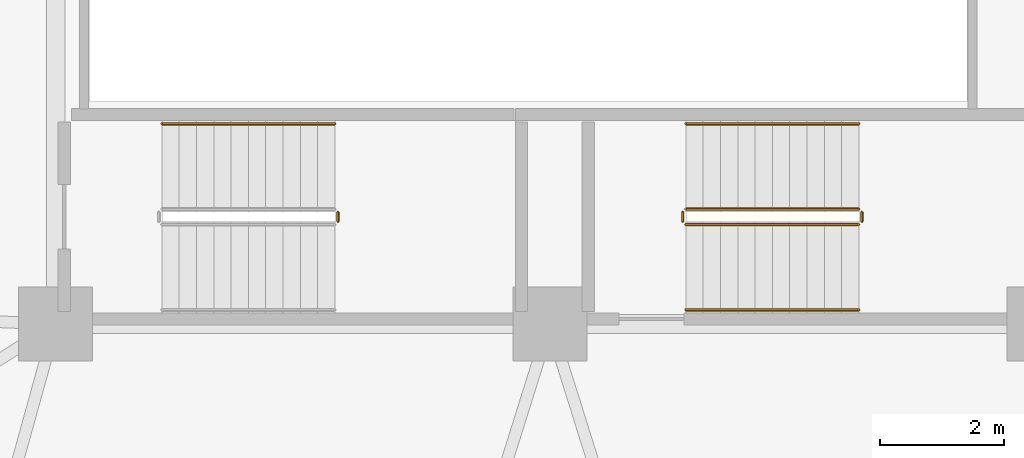
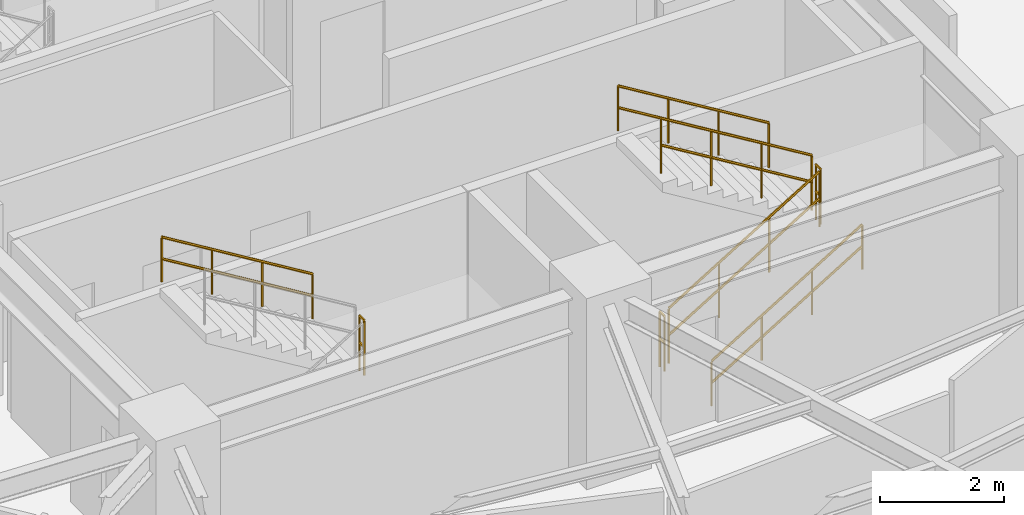
# One storey, part 28 of 30: 8 railings.
"""IFC4 building model written with IfcOpenShell, lengths in metres."""

from ifc_helpers import new_model, si_unit, direction, frame, origin, place, context, subcontext, project, spatial, polyline, outline, extrude, material, type_object, element, save


model = new_model("IFC4")

# Units and contexts
model_context = context("Model", 3, precision=1e-05, world=origin(), true_north=direction((0.0, 1.0)))
body_context = subcontext(model_context, "Body", "Model", "MODEL_VIEW")
ifc_project = project(units=[si_unit("LENGTHUNIT", "METRE"), si_unit("AREAUNIT", "SQUARE_METRE"), si_unit("VOLUMEUNIT", "CUBIC_METRE"), si_unit("PLANEANGLEUNIT", "RADIAN"), si_unit("MASSUNIT", "GRAM", prefix="KILO")], contexts=[model_context])

# Site, building, storey
site_placement = place(None, origin())
site = spatial("IfcSite", under=ifc_project, at=site_placement, CompositionType="ELEMENT")
building_placement = place(site_placement, origin())
building = spatial("IfcBuilding", under=site, at=building_placement, Name="Kelanora Arch Commons", CompositionType="ELEMENT")
storey_placement = place(building_placement, frame((0.0, 0.0, 208.199951171875)))
storey = spatial("IfcBuildingStorey", under=building, at=storey_placement, Name="L53", CompositionType="ELEMENT", Elevation=208.199951171875)

# Railings
ifc_material_1 = material(Name="Painted steel stair well guard", Category="steel")
railing_type_1 = type_object("IfcRailingType", Name="RAIL-STAIR-GRD", PredefinedType="GUARDRAIL", material=ifc_material_1)
railing_1_placement = place(storey_placement, frame((76.199951171875, 52.610107421875, 0.17041015625)))
element("IfcRailing", 1, at=railing_1_placement, inside=storey, type_object=railing_type_1, Name="L53 ST-T2 stair guard 1", PredefinedType="GUARDRAIL", context=body_context, shape_type="SweptSolid", body=[
    extrude(outline(polyline([(0.02392578125, 0.0), (0.011962890625, 0.020751953125), (-0.011962890625, 0.020751953125), (-0.02392578125, 0.0), (-0.011962890625, -0.020751953125), (0.011962890625, -0.020751953125), (0.02392578125, 0.0)])), frame((0.0, 0.0, 1.076171875), z_axis=(0.854169791009, 0.0, 0.51999420009), x_axis=(0.0, 1.0, 0.0)), (0.0, 0.0, 1.0), 3.278076171875),
    extrude(outline(polyline([(0.02392578125, 0.0), (0.011962890625, 0.020751953125), (-0.011962890625, 0.020751953125), (-0.02392578125, 0.0), (-0.011962890625, -0.020751953125), (0.011962890625, -0.020751953125), (0.02392578125, 0.0)])), frame((0.0, 0.0, 0.550048828125), z_axis=(0.854169791009, 0.0, 0.51999420009), x_axis=(0.0, 1.0, 0.0)), (0.0, 0.0, 1.0), 3.278076171875),
    extrude(outline(polyline([(0.02099609375, 0.0), (0.010498046875, 0.01806640625), (-0.010498046875, 0.01806640625), (-0.02099609375, 0.0), (-0.010498046875, -0.01806640625), (0.010498046875, -0.01806640625), (0.02099609375, 0.0)])), origin(), (0.0, 0.0, 1.0), 1.052001953125),
    extrude(outline(polyline([(0.02099609375, 0.0), (0.010498046875, 0.01806640625), (-0.010498046875, 0.01806640625), (-0.02099609375, 0.0), (-0.010498046875, -0.01806640625), (0.010498046875, -0.01806640625), (0.02099609375, 0.0)])), frame((0.933349609375, 0.0, 0.568115234375)), (0.0, 0.0, 1.0), 1.052001953125),
    extrude(outline(polyline([(0.02099609375, 0.0), (0.010498046875, 0.01806640625), (-0.010498046875, 0.01806640625), (-0.02099609375, 0.0), (-0.010498046875, -0.01806640625), (0.010498046875, -0.01806640625), (0.02099609375, 0.0)])), frame((1.86669921875, 0.0, 1.136474609375)), (0.0, 0.0, 1.0), 1.052001953125),
    extrude(outline(polyline([(0.02099609375, 0.0), (0.010498046875, 0.01806640625), (-0.010498046875, 0.01806640625), (-0.02099609375, 0.0), (-0.010498046875, -0.01806640625), (0.010498046875, -0.01806640625), (0.02099609375, 0.0)])), frame((2.800048828125, 0.0, 1.70458984375)), (0.0, 0.0, 1.0), 1.052001953125),
])
railing_2_placement = place(storey_placement, frame((79.050048828125, 52.659912109375, 1.875)))
element("IfcRailing", 2, at=railing_2_placement, inside=storey, type_object=railing_type_1, Name="L53 ST-T2 stair guard 2", PredefinedType="GUARDRAIL", context=body_context, shape_type="SweptSolid", body=[
    extrude(outline(polyline([(0.02392578125, 0.0), (0.011962890625, 0.020751953125), (-0.011962890625, 0.020751953125), (-0.02392578125, 0.0), (-0.011962890625, -0.020751953125), (0.011962890625, -0.020751953125), (0.02392578125, 0.0)])), frame((0.0, 0.0, 1.076171875), z_axis=(0.0, 1.0, 0.0), x_axis=(-1.0, 0.0, 0.0)), (0.0, 0.0, 1.0), 0.150146484375),
    extrude(outline(polyline([(0.02392578125, 0.0), (0.011962890625, 0.020751953125), (-0.011962890625, 0.020751953125), (-0.02392578125, 0.0), (-0.011962890625, -0.020751953125), (0.011962890625, -0.020751953125), (0.02392578125, 0.0)])), frame((0.0, 0.0, 0.550048828125), z_axis=(0.0, 1.0, 0.0), x_axis=(-1.0, 0.0, 0.0)), (0.0, 0.0, 1.0), 0.150146484375),
    extrude(outline(polyline([(0.02099609375, 0.0), (0.010498046875, 0.01806640625), (-0.010498046875, 0.01806640625), (-0.02099609375, 0.0), (-0.010498046875, -0.01806640625), (0.010498046875, -0.01806640625), (0.02099609375, 0.0)])), origin(), (0.0, 0.0, 1.0), 1.052001953125),
    extrude(outline(polyline([(0.02099609375, 0.0), (0.010498046875, 0.01806640625), (-0.010498046875, 0.01806640625), (-0.02099609375, 0.0), (-0.010498046875, -0.01806640625), (0.010498046875, -0.01806640625), (0.02099609375, 0.0)])), frame((0.0, 0.150146484375, 0.0)), (0.0, 0.0, 1.0), 1.052001953125),
])
railing_3_placement = place(storey_placement, frame((79.0, 52.860107421875, 2.04541015625)))
element("IfcRailing", 3, at=railing_3_placement, inside=storey, type_object=railing_type_1, Name="L53 ST-T2 stair guard 3", PredefinedType="GUARDRAIL", context=body_context, shape_type="SweptSolid", body=[
    extrude(outline(polyline([(0.02392578125, 0.0), (0.011962890625, 0.020751953125), (-0.011962890625, 0.020751953125), (-0.02392578125, 0.0), (-0.011962890625, -0.020751953125), (0.011962890625, -0.020751953125), (0.02392578125, 0.0)])), frame((0.0, 0.0, 1.076171875), z_axis=(-0.854169791009, 0.0, 0.51999420009), x_axis=(0.0, -1.0, 0.0)), (0.0, 0.0, 1.0), 3.278076171875),
    extrude(outline(polyline([(0.02392578125, 0.0), (0.011962890625, 0.020751953125), (-0.011962890625, 0.020751953125), (-0.02392578125, 0.0), (-0.011962890625, -0.020751953125), (0.011962890625, -0.020751953125), (0.02392578125, 0.0)])), frame((0.0, 0.0, 0.550048828125), z_axis=(-0.854169791009, 0.0, 0.51999420009), x_axis=(0.0, -1.0, 0.0)), (0.0, 0.0, 1.0), 3.278076171875),
    extrude(outline(polyline([(0.02099609375, 0.0), (0.010498046875, 0.01806640625), (-0.010498046875, 0.01806640625), (-0.02099609375, 0.0), (-0.010498046875, -0.01806640625), (0.010498046875, -0.01806640625), (0.02099609375, 0.0)])), origin(), (0.0, 0.0, 1.0), 1.052001953125),
    extrude(outline(polyline([(0.02099609375, 0.0), (0.010498046875, 0.01806640625), (-0.010498046875, 0.01806640625), (-0.02099609375, 0.0), (-0.010498046875, -0.01806640625), (0.010498046875, -0.01806640625), (0.02099609375, 0.0)])), frame((-0.933349609375, 0.0, 0.568115234375)), (0.0, 0.0, 1.0), 1.052001953125),
    extrude(outline(polyline([(0.02099609375, 0.0), (0.010498046875, 0.01806640625), (-0.010498046875, 0.01806640625), (-0.02099609375, 0.0), (-0.010498046875, -0.01806640625), (0.010498046875, -0.01806640625), (0.02099609375, 0.0)])), frame((-1.86669921875, 0.0, 1.136474609375)), (0.0, 0.0, 1.0), 1.052001953125),
    extrude(outline(polyline([(0.02099609375, 0.0), (0.010498046875, 0.01806640625), (-0.010498046875, 0.01806640625), (-0.02099609375, 0.0), (-0.010498046875, -0.01806640625), (0.010498046875, -0.01806640625), (0.02099609375, 0.0)])), frame((-2.800048828125, 0.0, 1.70458984375)), (0.0, 0.0, 1.0), 1.052001953125),
])
for number, where, name in (
    (4, (76.14990234375, 52.659912109375, 0.0), "L53 ST-T2 stair guard 4"),
    (5, (70.570068359375, 52.659912109375, 1.875), "L53 ST-T3 stair guard 2"),
):
    element("IfcRailing", number, at=place(storey_placement, frame(where)), inside=storey, type_object=railing_type_1, Name=name, PredefinedType="GUARDRAIL", context=body_context, shape_type="SweptSolid", body=[
        extrude(outline(polyline([(0.02392578125, 0.0), (0.011962890625, 0.020751953125), (-0.011962890625, 0.020751953125), (-0.02392578125, 0.0), (-0.011962890625, -0.020751953125), (0.011962890625, -0.020751953125), (0.02392578125, 0.0)])), frame((0.0, 0.0, 1.076171875), z_axis=(0.0, 1.0, 0.0), x_axis=(-1.0, 0.0, 0.0)), (0.0, 0.0, 1.0), 0.150146484375),
        extrude(outline(polyline([(0.02392578125, 0.0), (0.011962890625, 0.020751953125), (-0.011962890625, 0.020751953125), (-0.02392578125, 0.0), (-0.011962890625, -0.020751953125), (0.011962890625, -0.020751953125), (0.02392578125, 0.0)])), frame((0.0, 0.0, 0.550048828125), z_axis=(0.0, 1.0, 0.0), x_axis=(-1.0, 0.0, 0.0)), (0.0, 0.0, 1.0), 0.150146484375),
        extrude(outline(polyline([(0.02099609375, 0.0), (0.010498046875, 0.01806640625), (-0.010498046875, 0.01806640625), (-0.02099609375, 0.0), (-0.010498046875, -0.01806640625), (0.010498046875, -0.01806640625), (0.02099609375, 0.0)])), origin(), (0.0, 0.0, 1.0), 1.052001953125),
        extrude(outline(polyline([(0.02099609375, 0.0), (0.010498046875, 0.01806640625), (-0.010498046875, 0.01806640625), (-0.02099609375, 0.0), (-0.010498046875, -0.01806640625), (0.010498046875, -0.01806640625), (0.02099609375, 0.0)])), frame((0.0, 0.150146484375, 0.0)), (0.0, 0.0, 1.0), 1.052001953125),
    ])
ifc_material_2 = material(Name="Brushed stainless steel stair handrail", Category="steel")
railing_type_2 = type_object("IfcRailingType", Name="RAIL-STAIR-HND", PredefinedType="HANDRAIL", material=ifc_material_2)
railing_4_placement = place(storey_placement, frame((76.199951171875, 51.22998046875, 0.17041015625)))
element("IfcRailing", 6, at=railing_4_placement, inside=storey, type_object=railing_type_2, Name="L53 ST-T2 stair handrail 1", PredefinedType="HANDRAIL", context=body_context, shape_type="SweptSolid", body=[
    extrude(outline(polyline([(0.02392578125, 0.0), (0.011962890625, 0.020751953125), (-0.011962890625, 0.020751953125), (-0.02392578125, 0.0), (-0.011962890625, -0.020751953125), (0.011962890625, -0.020751953125), (0.02392578125, 0.0)])), frame((0.0, 0.0, 0.8759765625), z_axis=(0.854169791009, 0.0, 0.51999420009), x_axis=(0.0, 1.0, 0.0)), (0.0, 0.0, 1.0), 3.278076171875),
    extrude(outline(polyline([(0.02392578125, 0.0), (0.011962890625, 0.020751953125), (-0.011962890625, 0.020751953125), (-0.02392578125, 0.0), (-0.011962890625, -0.020751953125), (0.011962890625, -0.020751953125), (0.02392578125, 0.0)])), frame((0.0, 0.0, 0.449951171875), z_axis=(0.854169791009, 0.0, 0.51999420009), x_axis=(0.0, 1.0, 0.0)), (0.0, 0.0, 1.0), 3.278076171875),
    extrude(outline(polyline([(0.02099609375, 0.0), (0.010498046875, 0.01806640625), (-0.010498046875, 0.01806640625), (-0.02099609375, 0.0), (-0.010498046875, -0.01806640625), (0.010498046875, -0.01806640625), (0.02099609375, 0.0)])), origin(), (0.0, 0.0, 1.0), 0.851806640625),
    extrude(outline(polyline([(0.02099609375, 0.0), (0.010498046875, 0.01806640625), (-0.010498046875, 0.01806640625), (-0.02099609375, 0.0), (-0.010498046875, -0.01806640625), (0.010498046875, -0.01806640625), (0.02099609375, 0.0)])), frame((0.933349609375, 0.0, 0.568115234375)), (0.0, 0.0, 1.0), 0.851806640625),
    extrude(outline(polyline([(0.02099609375, 0.0), (0.010498046875, 0.01806640625), (-0.010498046875, 0.01806640625), (-0.02099609375, 0.0), (-0.010498046875, -0.01806640625), (0.010498046875, -0.01806640625), (0.02099609375, 0.0)])), frame((1.86669921875, 0.0, 1.136474609375)), (0.0, 0.0, 1.0), 0.851806640625),
    extrude(outline(polyline([(0.02099609375, 0.0), (0.010498046875, 0.01806640625), (-0.010498046875, 0.01806640625), (-0.02099609375, 0.0), (-0.010498046875, -0.01806640625), (0.010498046875, -0.01806640625), (0.02099609375, 0.0)])), frame((2.800048828125, 0.0, 1.70458984375)), (0.0, 0.0, 1.0), 0.851806640625),
])
railing_5_placement = place(storey_placement, frame((79.0, 54.239990234375, 2.04541015625)))
element("IfcRailing", 7, at=railing_5_placement, inside=storey, type_object=railing_type_2, Name="L53 ST-T2 stair handrail 2", PredefinedType="HANDRAIL", context=body_context, shape_type="SweptSolid", body=[
    extrude(outline(polyline([(0.02392578125, 0.0), (0.011962890625, 0.020751953125), (-0.011962890625, 0.020751953125), (-0.02392578125, 0.0), (-0.011962890625, -0.020751953125), (0.011962890625, -0.020751953125), (0.02392578125, 0.0)])), frame((0.0, 0.0, 0.8759765625), z_axis=(-0.854169791009, 0.0, 0.51999420009), x_axis=(0.0, -1.0, 0.0)), (0.0, 0.0, 1.0), 3.278076171875),
    extrude(outline(polyline([(0.02392578125, 0.0), (0.011962890625, 0.020751953125), (-0.011962890625, 0.020751953125), (-0.02392578125, 0.0), (-0.011962890625, -0.020751953125), (0.011962890625, -0.020751953125), (0.02392578125, 0.0)])), frame((0.0, 0.0, 0.449951171875), z_axis=(-0.854169791009, 0.0, 0.51999420009), x_axis=(0.0, -1.0, 0.0)), (0.0, 0.0, 1.0), 3.278076171875),
    extrude(outline(polyline([(0.02099609375, 0.0), (0.010498046875, 0.01806640625), (-0.010498046875, 0.01806640625), (-0.02099609375, 0.0), (-0.010498046875, -0.01806640625), (0.010498046875, -0.01806640625), (0.02099609375, 0.0)])), origin(), (0.0, 0.0, 1.0), 0.851806640625),
    extrude(outline(polyline([(0.02099609375, 0.0), (0.010498046875, 0.01806640625), (-0.010498046875, 0.01806640625), (-0.02099609375, 0.0), (-0.010498046875, -0.01806640625), (0.010498046875, -0.01806640625), (0.02099609375, 0.0)])), frame((-0.933349609375, 0.0, 0.568115234375)), (0.0, 0.0, 1.0), 0.851806640625),
    extrude(outline(polyline([(0.02099609375, 0.0), (0.010498046875, 0.01806640625), (-0.010498046875, 0.01806640625), (-0.02099609375, 0.0), (-0.010498046875, -0.01806640625), (0.010498046875, -0.01806640625), (0.02099609375, 0.0)])), frame((-1.86669921875, 0.0, 1.136474609375)), (0.0, 0.0, 1.0), 0.851806640625),
    extrude(outline(polyline([(0.02099609375, 0.0), (0.010498046875, 0.01806640625), (-0.010498046875, 0.01806640625), (-0.02099609375, 0.0), (-0.010498046875, -0.01806640625), (0.010498046875, -0.01806640625), (0.02099609375, 0.0)])), frame((-2.800048828125, 0.0, 1.70458984375)), (0.0, 0.0, 1.0), 0.851806640625),
])
railing_6_placement = place(storey_placement, frame((70.52001953125, 54.239990234375, 2.04541015625)))
element("IfcRailing", 8, at=railing_6_placement, inside=storey, type_object=railing_type_2, Name="L53 ST-T3 stair handrail 2", PredefinedType="HANDRAIL", context=body_context, shape_type="SweptSolid", body=[
    extrude(outline(polyline([(0.02392578125, 0.0), (0.011962890625, 0.020751953125), (-0.011962890625, 0.020751953125), (-0.02392578125, 0.0), (-0.011962890625, -0.020751953125), (0.011962890625, -0.020751953125), (0.02392578125, 0.0)])), frame((0.0, 0.0, 0.8759765625), z_axis=(-0.854169791009, 0.0, 0.51999420009), x_axis=(0.0, -1.0, 0.0)), (0.0, 0.0, 1.0), 3.278076171875),
    extrude(outline(polyline([(0.02392578125, 0.0), (0.011962890625, 0.020751953125), (-0.011962890625, 0.020751953125), (-0.02392578125, 0.0), (-0.011962890625, -0.020751953125), (0.011962890625, -0.020751953125), (0.02392578125, 0.0)])), frame((0.0, 0.0, 0.449951171875), z_axis=(-0.854169791009, 0.0, 0.51999420009), x_axis=(0.0, -1.0, 0.0)), (0.0, 0.0, 1.0), 3.278076171875),
    extrude(outline(polyline([(0.02099609375, 0.0), (0.010498046875, 0.01806640625), (-0.010498046875, 0.01806640625), (-0.02099609375, 0.0), (-0.010498046875, -0.01806640625), (0.010498046875, -0.01806640625), (0.02099609375, 0.0)])), origin(), (0.0, 0.0, 1.0), 0.851806640625),
    extrude(outline(polyline([(0.02099609375, 0.0), (0.010498046875, 0.01806640625), (-0.010498046875, 0.01806640625), (-0.02099609375, 0.0), (-0.010498046875, -0.01806640625), (0.010498046875, -0.01806640625), (0.02099609375, 0.0)])), frame((-0.933349609375, 0.0, 0.568115234375)), (0.0, 0.0, 1.0), 0.851806640625),
    extrude(outline(polyline([(0.02099609375, 0.0), (0.010498046875, 0.01806640625), (-0.010498046875, 0.01806640625), (-0.02099609375, 0.0), (-0.010498046875, -0.01806640625), (0.010498046875, -0.01806640625), (0.02099609375, 0.0)])), frame((-1.86669921875, 0.0, 1.136474609375)), (0.0, 0.0, 1.0), 0.851806640625),
    extrude(outline(polyline([(0.02099609375, 0.0), (0.010498046875, 0.01806640625), (-0.010498046875, 0.01806640625), (-0.02099609375, 0.0), (-0.010498046875, -0.01806640625), (0.010498046875, -0.01806640625), (0.02099609375, 0.0)])), frame((-2.800048828125, 0.0, 1.70458984375)), (0.0, 0.0, 1.0), 0.851806640625),
])

save(model, "model.ifc")
